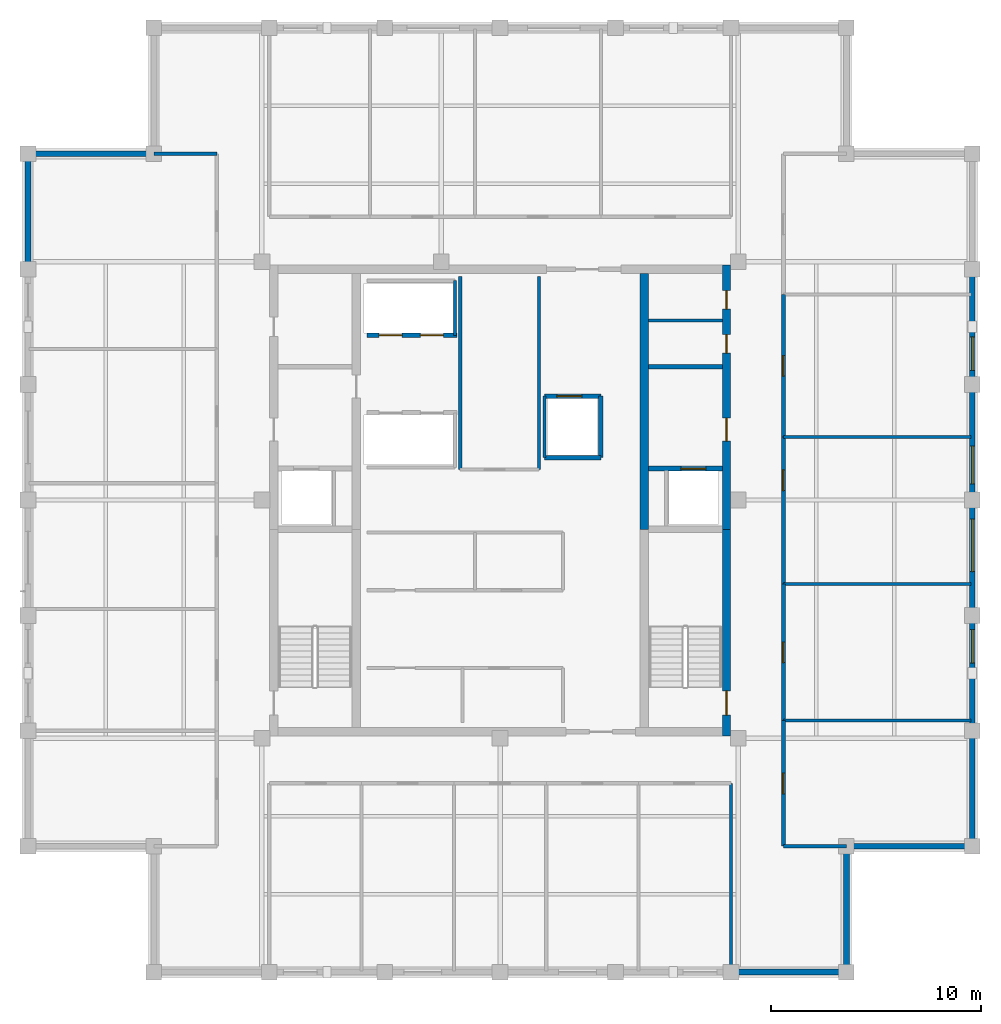
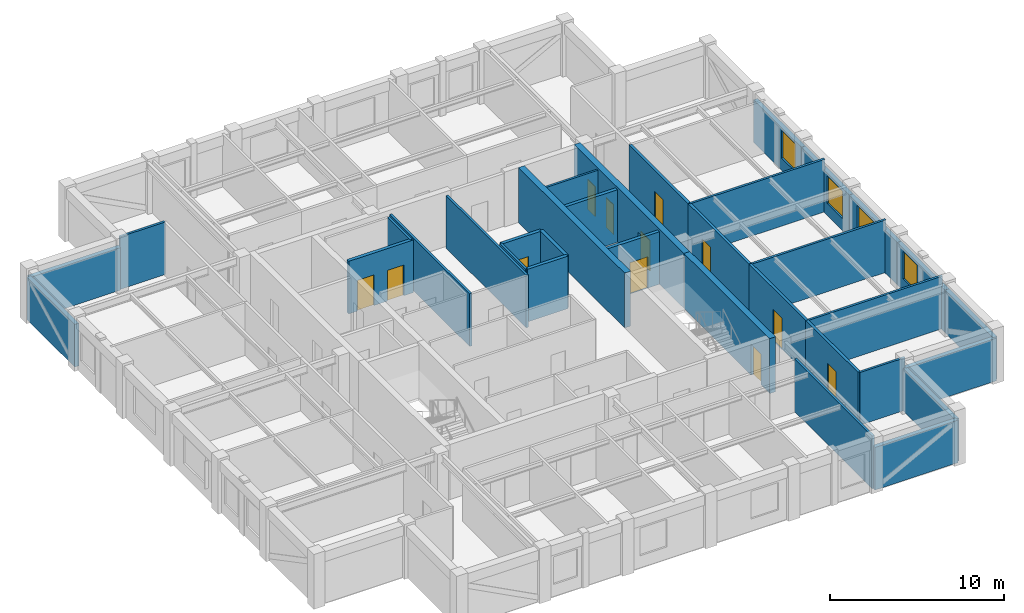
# One storey, part 5 of 7: 34 walls, 12 doors, 4 windows, 16 openings.
"""IFC4 building model written with IfcOpenShell, lengths in metres."""

from ifc_helpers import new_model, si_unit, direction, frame, frame_2d, origin, place, context, subcontext, project, spatial, rectangle, extrude, material, layer, layer_set, type_object, element, fill, save


model = new_model("IFC4")

# Units and contexts
model_context = context("Model", 3, precision=1e-05, world=origin(), true_north=direction((0.0, 1.0)))
body_context = subcontext(model_context, "Body", "Model", "MODEL_VIEW")
ifc_project = project(units=[si_unit("LENGTHUNIT", "METRE"), si_unit("AREAUNIT", "SQUARE_METRE"), si_unit("VOLUMEUNIT", "CUBIC_METRE"), si_unit("PLANEANGLEUNIT", "RADIAN"), si_unit("MASSUNIT", "GRAM", prefix="KILO")], contexts=[model_context])

# Site, building, storey
site_placement = place(None, origin())
site = spatial("IfcSite", under=ifc_project, at=site_placement, CompositionType="ELEMENT")
building_placement = place(site_placement, origin())
building = spatial("IfcBuilding", under=site, at=building_placement, Name="Nhamokura Convention Tower", CompositionType="ELEMENT")
storey_placement = place(building_placement, frame((0.0, 0.0, 285.25)))
storey = spatial("IfcBuildingStorey", under=building, at=storey_placement, Name="L70", CompositionType="ELEMENT", Elevation=285.25)

# Walls
ifc_material_1 = material(Name="Moisture-resistant tile-backer partition", Category="masonry")
ifc_layer_1 = layer(ifc_material_1, 0.139892578125)
ifc_layer_set_1 = layer_set([ifc_layer_1], Name="BathroomWetWall_140")
wall_type_1 = type_object("IfcWallType", Name="BathroomWetWall_140", PredefinedType="STANDARD", material=ifc_layer_set_1)
wall_1_placement = place(storey_placement, frame((39.06005859375, 40.550048828125, 0.0), z_axis=(0.0, 0.0, 1.0), x_axis=(1.0, 0.0, 0.0)))
element("IfcWall", 1, at=wall_1_placement, inside=storey, type_object=wall_type_1, Name="L70 Wall INT-L70-CWNE", PredefinedType="STANDARD", context=body_context, shape_type="SweptSolid", body=[
    extrude(rectangle(XDim=3.530029296875, YDim=0.139892578125, at=frame_2d((1.76513671875, 0.0))), origin(), (0.0, 0.0, 1.0), 3.68505859375),
])
ifc_material_2 = material(Name="Bronze-pigmented precast concrete C45/55", Category="concrete")
ifc_layer_2 = layer(ifc_material_2, 0.280029296875)
ifc_layer_set_2 = layer_set([ifc_layer_2], Name="BronzePrecastSpandrel_280")
wall_type_2 = type_object("IfcWallType", Name="BronzePrecastSpandrel_280", PredefinedType="USERDEFINED", material=ifc_layer_set_2)
for number, where, z_axis, x_axis, name in (
    (2, (48.5, 9.5, 0.0), (0.0, 0.0, 1.0), (-1.0, 0.0, 0.0), "L70 Braced-Bay Precast Wall SOUTH 5"),
    (3, (9.5, 43.0, 0.0), (0.0, 0.0, 1.0), (0.0, 1.0, 0.0), "L70 Braced-Bay Precast Wall WEST 5"),
    (4, (54.5, 21.0, 0.0), (0.0, 0.0, 1.0), (0.0, -1.0, 0.0), "L70 Braced-Bay Precast Wall EAST 0"),
):
    element("IfcWall", number, at=place(storey_placement, frame(where, z_axis=z_axis, x_axis=x_axis)), inside=storey, type_object=wall_type_2, Name=name, ObjectType="SPANDREL_WALL", PredefinedType="USERDEFINED", context=body_context, shape_type="SweptSolid", body=[
        extrude(rectangle(XDim=5.5, YDim=0.280029296875, at=frame_2d((2.75, 0.0))), origin(), (0.0, 0.0, 1.0), 2.985107421875),
    ])

# Wall, opening, window
wall_2_placement = place(storey_placement, frame((54.5, 26.5, 0.0), z_axis=(0.0, 0.0, 1.0), x_axis=(0.0, -1.0, 0.0)))
wall_2 = element("IfcWall", 5, at=wall_2_placement, inside=storey, type_object=wall_type_2, Name="L70 Masonry-Frame Wall EAST 1", ObjectType="SPANDREL_WALL", PredefinedType="USERDEFINED", context=body_context, shape_type="SweptSolid", body=[
    extrude(rectangle(XDim=5.5, YDim=0.280029296875, at=frame_2d((2.75, 0.0))), origin(), (0.0, 0.0, 1.0), 2.985107421875),
])
opening_1_placement = place(wall_2_placement, frame((0.675048828125, 0.0, 0.85009765625)))
opening_1 = element("IfcOpeningElement", 6, at=opening_1_placement, cuts=wall_2, Name="Opening W-11", PredefinedType="OPENING", context=body_context, shape_type="SweptSolid", body=[
    extrude(rectangle(XDim=1.60009765625, YDim=1.93505859375, at=frame_2d((0.800048828125, 0.967529296875))), frame((0.0, 0.14990234375, 0.0), z_axis=(0.0, -1.0, 0.0), x_axis=(1.0, 0.0, 0.0)), (0.0, 0.0, 1.0), 0.300048828125),
])
ifc_material_3 = material(Name="Solar-control bronze low-E double glass", Category="glass")
window_type_1 = type_object("IfcWindowType", Name="NotchCornerWindow_1600", PartitioningType="SINGLE_PANEL", PredefinedType="WINDOW", material=ifc_material_3)
window_1_placement = place(opening_1_placement, origin())
window_1 = element("IfcWindow", 7, at=window_1_placement, inside=storey, type_object=window_type_1, Name="L70 Facade Window EAST 1-1", OverallHeight=1.93505859375, OverallWidth=1.60009765625, PartitioningType="SINGLE_PANEL", PredefinedType="WINDOW", context=body_context, shape_type="SweptSolid", body=[
    extrude(rectangle(XDim=1.60009765625, YDim=1.93505859375, at=frame_2d((0.800048828125, 0.967529296875))), frame((0.0, 0.030029296875, 0.0), z_axis=(0.0, -1.0, 0.0), x_axis=(1.0, 0.0, 0.0)), (0.0, 0.0, 1.0), 0.06005859375),
])
fill(opening_1, window_1)

wall_3_placement = place(storey_placement, frame((54.5, 32.0, 0.0), z_axis=(0.0, 0.0, 1.0), x_axis=(0.0, -1.0, 0.0)))
wall_3 = element("IfcWall", 8, at=wall_3_placement, inside=storey, type_object=wall_type_2, Name="L70 Masonry-Frame Wall EAST 2", ObjectType="SPANDREL_WALL", PredefinedType="USERDEFINED", context=body_context, shape_type="SweptSolid", body=[
    extrude(rectangle(XDim=5.5, YDim=0.280029296875, at=frame_2d((2.75, 0.0))), origin(), (0.0, 0.0, 1.0), 2.985107421875),
])
opening_2_placement = place(wall_3_placement, frame((0.91259765625, 0.0, 0.85009765625)))
opening_2 = element("IfcOpeningElement", 9, at=opening_2_placement, cuts=wall_3, Name="Opening W-09", PredefinedType="OPENING", context=body_context, shape_type="SweptSolid", body=[
    extrude(rectangle(XDim=2.5, YDim=1.93505859375, at=frame_2d((1.25, 0.967529296875))), frame((0.0, 0.14990234375, 0.0), z_axis=(0.0, -1.0, 0.0), x_axis=(1.0, 0.0, 0.0)), (0.0, 0.0, 1.0), 0.300048828125),
])
ifc_material_4 = material(Name="Solar-control bronze low-E double glass", Category="glass")
window_type_2 = type_object("IfcWindowType", Name="SummitWindow_Z4_2500", PartitioningType="DOUBLE_PANEL_VERTICAL", PredefinedType="WINDOW", material=ifc_material_4)
window_2_placement = place(opening_2_placement, origin())
window_2 = element("IfcWindow", 10, at=window_2_placement, inside=storey, type_object=window_type_2, Name="L70 Facade Window EAST 2-1", OverallHeight=1.93505859375, OverallWidth=2.5, PartitioningType="SINGLE_PANEL", PredefinedType="WINDOW", context=body_context, shape_type="SweptSolid", body=[
    extrude(rectangle(XDim=2.5, YDim=1.93505859375, at=frame_2d((1.25, 0.967529296875))), frame((0.0, 0.030029296875, 0.0), z_axis=(0.0, -1.0, 0.0), x_axis=(1.0, 0.0, 0.0)), (0.0, 0.0, 1.0), 0.06005859375),
])
fill(opening_2, window_2)

wall_4_placement = place(storey_placement, frame((54.5, 37.5, 0.0), z_axis=(0.0, 0.0, 1.0), x_axis=(0.0, -1.0, 0.0)))
wall_4 = element("IfcWall", 11, at=wall_4_placement, inside=storey, type_object=wall_type_2, Name="L70 Masonry-Frame Wall EAST 3", ObjectType="SPANDREL_WALL", PredefinedType="USERDEFINED", context=body_context, shape_type="SweptSolid", body=[
    extrude(rectangle(XDim=5.5, YDim=0.280029296875, at=frame_2d((2.75, 0.0))), origin(), (0.0, 0.0, 1.0), 2.985107421875),
])
opening_3_placement = place(wall_4_placement, frame((2.9375, 0.0, 0.85009765625)))
opening_3 = element("IfcOpeningElement", 12, at=opening_3_placement, cuts=wall_4, Name="Opening W-10", PredefinedType="OPENING", context=body_context, shape_type="SweptSolid", body=[
    extrude(rectangle(XDim=1.800048828125, YDim=1.93505859375, at=frame_2d((0.89990234375, 0.967529296875))), frame((0.0, 0.14990234375, 0.0), z_axis=(0.0, -1.0, 0.0), x_axis=(1.0, 0.0, 0.0)), (0.0, 0.0, 1.0), 0.300048828125),
])
ifc_material_5 = material(Name="Solar-control bronze low-E double glass", Category="glass")
window_type_3 = type_object("IfcWindowType", Name="SummitWindow_Z4_1800", PartitioningType="SINGLE_PANEL", PredefinedType="WINDOW", material=ifc_material_5)
window_3_placement = place(opening_3_placement, origin())
window_3 = element("IfcWindow", 13, at=window_3_placement, inside=storey, type_object=window_type_3, Name="L70 Facade Window EAST 3-2", OverallHeight=1.93505859375, OverallWidth=1.800048828125, PartitioningType="SINGLE_PANEL", PredefinedType="WINDOW", context=body_context, shape_type="SweptSolid", body=[
    extrude(rectangle(XDim=1.800048828125, YDim=1.93505859375, at=frame_2d((0.89990234375, 0.967529296875))), frame((0.0, 0.030029296875, 0.0), z_axis=(0.0, -1.0, 0.0), x_axis=(1.0, 0.0, 0.0)), (0.0, 0.0, 1.0), 0.06005859375),
])
fill(opening_3, window_3)

wall_5_placement = place(storey_placement, frame((54.5, 43.0, 0.0), z_axis=(0.0, 0.0, 1.0), x_axis=(0.0, -1.0, 0.0)))
wall_5 = element("IfcWall", 14, at=wall_5_placement, inside=storey, type_object=wall_type_2, Name="L70 Masonry-Frame Wall EAST 4", ObjectType="SPANDREL_WALL", PredefinedType="USERDEFINED", context=body_context, shape_type="SweptSolid", body=[
    extrude(rectangle(XDim=5.5, YDim=0.280029296875, at=frame_2d((2.75, 0.0))), origin(), (0.0, 0.0, 1.0), 2.985107421875),
])
opening_4_placement = place(wall_5_placement, frame((3.22509765625, 0.0, 0.85009765625)))
opening_4 = element("IfcOpeningElement", 15, at=opening_4_placement, cuts=wall_5, Name="Opening W-11", PredefinedType="OPENING", context=body_context, shape_type="SweptSolid", body=[
    extrude(rectangle(XDim=1.60009765625, YDim=1.93505859375, at=frame_2d((0.800048828125, 0.967529296875))), frame((0.0, 0.14990234375, 0.0), z_axis=(0.0, -1.0, 0.0), x_axis=(1.0, 0.0, 0.0)), (0.0, 0.0, 1.0), 0.300048828125),
])
window_4_placement = place(opening_4_placement, origin())
window_4 = element("IfcWindow", 16, at=window_4_placement, inside=storey, type_object=window_type_1, Name="L70 Facade Window EAST 4-3", OverallHeight=1.93505859375, OverallWidth=1.60009765625, PartitioningType="SINGLE_PANEL", PredefinedType="WINDOW", context=body_context, shape_type="SweptSolid", body=[
    extrude(rectangle(XDim=1.60009765625, YDim=1.93505859375, at=frame_2d((0.800048828125, 0.967529296875))), frame((0.0, 0.030029296875, 0.0), z_axis=(0.0, -1.0, 0.0), x_axis=(1.0, 0.0, 0.0)), (0.0, 0.0, 1.0), 0.06005859375),
])
fill(opening_4, window_4)

# Walls
for number, where, z_axis, x_axis, name in (
    (17, (48.5, 15.5, 0.0), (0.0, 0.0, 1.0), (0.0, -1.0, 0.0), "L70 Notched Corner Wall SE1"),
    (18, (54.5, 15.5, 0.0), (0.0, 0.0, 1.0), (-1.0, 0.0, 0.0), "L70 Notched Corner Wall SE2"),
    (19, (9.5, 48.5, 0.0), (0.0, 0.0, 1.0), (1.0, 0.0, 0.0), "L70 Notched Corner Wall NW2"),
):
    element("IfcWall", number, at=place(storey_placement, frame(where, z_axis=z_axis, x_axis=x_axis)), inside=storey, type_object=wall_type_2, Name=name, ObjectType="SPANDREL_WALL", PredefinedType="USERDEFINED", context=body_context, shape_type="SweptSolid", body=[
        extrude(rectangle(XDim=6.0, YDim=0.280029296875, at=frame_2d((3.0, 0.0))), origin(), (0.0, 0.0, 1.0), 2.985107421875),
    ])

# Wall, opening, door
ifc_material_6 = material(Name="Concrete C50/60", Category="concrete")
ifc_layer_3 = layer(ifc_material_6, 0.39990234375)
ifc_layer_set_3 = layer_set([ifc_layer_3], Name="CoreShearWall_400")
wall_type_3 = type_object("IfcWallType", Name="CoreShearWall_400", PredefinedType="SHEAR", material=ifc_layer_set_3)
wall_6_placement = place(storey_placement, frame((42.7900390625, 20.75, 0.0), z_axis=(0.0, 0.0, 1.0), x_axis=(0.0, 1.0, 0.0)))
wall_6 = element("IfcWall", 20, at=wall_6_placement, inside=storey, type_object=wall_type_3, Name="L70 Core Shear Wall CW-ES", PredefinedType="SHEAR", context=body_context, shape_type="SweptSolid", body=[
    extrude(rectangle(XDim=9.85009765625, YDim=0.39990234375, at=frame_2d((4.925048828125, 0.0))), origin(), (0.0, 0.0, 1.0), 3.85009765625),
])
opening_5_placement = place(wall_6_placement, frame((1.0, 0.0, 0.0)))
opening_5 = element("IfcOpeningElement", 21, at=opening_5_placement, cuts=wall_6, Name="Opening D-04", PredefinedType="OPENING", context=body_context, shape_type="SweptSolid", body=[
    extrude(rectangle(XDim=1.14990234375, YDim=2.14990234375, at=frame_2d((0.574951171875, 1.074951171875))), frame((0.0, 0.2099609375, 0.0), z_axis=(0.0, -1.0, 0.0), x_axis=(1.0, 0.0, 0.0)), (0.0, 0.0, 1.0), 0.419921875),
])
ifc_material_7 = material(Name="Fire-rated steel door", Category="steel")
door_type_1 = type_object("IfcDoorType", Name="StairSmokeDoor_1150", OperationType="NOTDEFINED", PredefinedType="DOOR", material=ifc_material_7)
door_1_placement = place(opening_5_placement, origin())
door_1 = element("IfcDoor", 22, at=door_1_placement, inside=storey, type_object=door_type_1, Name="L70 Core Door INT-L70-D-ST02", OperationType="SINGLE_SWING_RIGHT", OverallHeight=2.14990234375, OverallWidth=1.14990234375, PredefinedType="DOOR", context=body_context, shape_type="SweptSolid", body=[
    extrude(rectangle(XDim=1.14990234375, YDim=2.14990234375, at=frame_2d((0.574951171875, 1.074951171875))), frame((0.0, 0.02490234375, 0.0), z_axis=(0.0, -1.0, 0.0), x_axis=(1.0, 0.0, 0.0)), (0.0, 0.0, 1.0), 0.050048828125),
])
fill(opening_5, door_1)

# Wall, openings, doors
wall_7_placement = place(storey_placement, frame((42.7900390625, 30.60009765625, 0.0), z_axis=(0.0, 0.0, 1.0), x_axis=(0.0, 1.0, 0.0)))
wall_7 = element("IfcWall", 23, at=wall_7_placement, inside=storey, type_object=wall_type_3, Name="L70 Core Shear Wall CW-EN", PredefinedType="SHEAR", context=body_context, shape_type="SweptSolid", body=[
    extrude(rectangle(XDim=12.599853515625, YDim=0.39990234375, at=frame_2d((6.2998046875, 0.0))), origin(), (0.0, 0.0, 1.0), 3.85009765625),
])
opening_6_placement = place(wall_7_placement, frame((4.199951171875, 0.0, 0.0)))
opening_6 = element("IfcOpeningElement", 24, at=opening_6_placement, cuts=wall_7, Name="Opening D-05", PredefinedType="OPENING", context=body_context, shape_type="SweptSolid", body=[
    extrude(rectangle(XDim=1.10009765625, YDim=2.14990234375, at=frame_2d((0.550048828125, 1.074951171875))), frame((0.0, 0.2099609375, 0.0), z_axis=(0.0, -1.0, 0.0), x_axis=(1.0, 0.0, 0.0)), (0.0, 0.0, 1.0), 0.419921875),
])
opening_7_placement = place(wall_7_placement, frame((8.39990234375, 0.0, 0.0)))
opening_7 = element("IfcOpeningElement", 25, at=opening_7_placement, cuts=wall_7, Name="Opening D-11", PredefinedType="OPENING", context=body_context, shape_type="SweptSolid", body=[
    extrude(rectangle(XDim=0.8798828125, YDim=2.10009765625, at=frame_2d((0.43994140625, 1.050048828125))), frame((0.0, 0.2099609375, 0.0), z_axis=(0.0, -1.0, 0.0), x_axis=(1.0, 0.0, 0.0)), (0.0, 0.0, 1.0), 0.419921875),
])
opening_8_placement = place(wall_7_placement, frame((10.5, 0.0, 0.0)))
opening_8 = element("IfcOpeningElement", 26, at=opening_8_placement, cuts=wall_7, Name="Opening D-11", PredefinedType="OPENING", context=body_context, shape_type="SweptSolid", body=[
    extrude(rectangle(XDim=0.8798828125, YDim=2.10009765625, at=frame_2d((0.43994140625, 1.050048828125))), frame((0.0, 0.2099609375, 0.0), z_axis=(0.0, -1.0, 0.0), x_axis=(1.0, 0.0, 0.0)), (0.0, 0.0, 1.0), 0.419921875),
])
ifc_material_8 = material(Name="Solid oak hardwood", Category="wood")
door_type_2 = type_object("IfcDoorType", Name="BathroomDoor_880", OperationType="NOTDEFINED", PredefinedType="DOOR", material=ifc_material_8)
door_2_placement = place(opening_7_placement, origin())
door_2 = element("IfcDoor", 27, at=door_2_placement, inside=storey, type_object=door_type_2, Name="L70 Core Door INT-L70-D-MWC", OperationType="SINGLE_SWING_RIGHT", OverallHeight=2.10009765625, OverallWidth=0.8798828125, PredefinedType="DOOR", context=body_context, shape_type="SweptSolid", body=[
    extrude(rectangle(XDim=0.8798828125, YDim=2.10009765625, at=frame_2d((0.43994140625, 1.050048828125))), frame((0.0, 0.02490234375, 0.0), z_axis=(0.0, -1.0, 0.0), x_axis=(1.0, 0.0, 0.0)), (0.0, 0.0, 1.0), 0.050048828125),
])
fill(opening_7, door_2)
door_3_placement = place(opening_8_placement, origin())
door_3 = element("IfcDoor", 28, at=door_3_placement, inside=storey, type_object=door_type_2, Name="L70 Core Door INT-L70-D-FWC", OperationType="SINGLE_SWING_LEFT", OverallHeight=2.10009765625, OverallWidth=0.8798828125, PredefinedType="DOOR", context=body_context, shape_type="SweptSolid", body=[
    extrude(rectangle(XDim=0.8798828125, YDim=2.10009765625, at=frame_2d((0.43994140625, 1.050048828125))), frame((0.0, 0.02490234375, 0.0), z_axis=(0.0, -1.0, 0.0), x_axis=(1.0, 0.0, 0.0)), (0.0, 0.0, 1.0), 0.050048828125),
])
fill(opening_8, door_3)
ifc_material_9 = material(Name="Fire-rated steel door", Category="steel")
door_type_3 = type_object("IfcDoorType", Name="FireLobbyDoor_1100", OperationType="NOTDEFINED", PredefinedType="DOOR", material=ifc_material_9)
door_4_placement = place(opening_6_placement, origin())
door_4 = element("IfcDoor", 29, at=door_4_placement, inside=storey, type_object=door_type_3, Name="L70 Core Door INT-L70-D-FFLE", OperationType="SINGLE_SWING_LEFT", OverallHeight=2.14990234375, OverallWidth=1.10009765625, PredefinedType="DOOR", context=body_context, shape_type="SweptSolid", body=[
    extrude(rectangle(XDim=1.10009765625, YDim=2.14990234375, at=frame_2d((0.550048828125, 1.074951171875))), frame((0.0, 0.02490234375, 0.0), z_axis=(0.0, -1.0, 0.0), x_axis=(1.0, 0.0, 0.0)), (0.0, 0.0, 1.0), 0.050048828125),
])
fill(opening_6, door_4)

# Wall
wall_8_placement = place(storey_placement, frame((38.860107421875, 30.60009765625, 0.0), z_axis=(0.0, 0.0, 1.0), x_axis=(0.0, 1.0, 0.0)))
element("IfcWall", 30, at=wall_8_placement, inside=storey, type_object=wall_type_3, Name="L70 Core Shear Wall CW-IEN", PredefinedType="SHEAR", context=body_context, shape_type="SweptSolid", body=[
    extrude(rectangle(XDim=12.199951171875, YDim=0.39990234375, at=frame_2d((6.10009765625, 0.0))), origin(), (0.0, 0.0, 1.0), 3.85009765625),
])

# Wall, opening, door
ifc_material_10 = material(Name="Fire-rated gypsum and masonry partition", Category="masonry")
ifc_layer_4 = layer(ifc_material_10, 0.179931640625)
ifc_layer_set_4 = layer_set([ifc_layer_4], Name="CorridorRatedWall_180")
wall_type_4 = type_object("IfcWallType", Name="CorridorRatedWall_180", PredefinedType="STANDARD", material=ifc_layer_set_4)
wall_9_placement = place(storey_placement, frame((45.5, 15.5, 0.0), z_axis=(0.0, 0.0, 1.0), x_axis=(0.0, 1.0, 0.0)))
wall_9 = element("IfcWall", 31, at=wall_9_placement, inside=storey, type_object=wall_type_4, Name="L70 Wall INT-L70-CW-E00", PredefinedType="STANDARD", context=body_context, shape_type="SweptSolid", body=[
    extrude(rectangle(XDim=6.0, YDim=0.179931640625, at=frame_2d((3.0, 0.0))), origin(), (0.0, 0.0, 1.0), 3.68505859375),
])
opening_9_placement = place(wall_9_placement, frame((2.5, 0.0, 0.0)))
opening_9 = element("IfcOpeningElement", 32, at=opening_9_placement, cuts=wall_9, Name="Opening D-08", PredefinedType="OPENING", context=body_context, shape_type="SweptSolid", body=[
    extrude(rectangle(XDim=0.97998046875, YDim=2.199951171875, at=frame_2d((0.489990234375, 1.10009765625))), frame((0.0, 0.099853515625, 0.0), z_axis=(0.0, -1.0, 0.0), x_axis=(1.0, 0.0, 0.0)), (0.0, 0.0, 1.0), 0.199951171875),
])
ifc_material_11 = material(Name="Solid oak hardwood", Category="wood")
door_type_4 = type_object("IfcDoorType", Name="OfficeEntryDoor_980", OperationType="NOTDEFINED", PredefinedType="DOOR", material=ifc_material_11)
door_5_placement = place(opening_9_placement, origin())
door_5 = element("IfcDoor", 33, at=door_5_placement, inside=storey, type_object=door_type_4, Name="L70 Reading Lounge E01 Door", OperationType="SINGLE_SWING_LEFT", OverallHeight=2.199951171875, OverallWidth=0.97998046875, PredefinedType="DOOR", context=body_context, shape_type="SweptSolid", body=[
    extrude(rectangle(XDim=0.97998046875, YDim=2.199951171875, at=frame_2d((0.489990234375, 1.10009765625))), frame((0.0, 0.02490234375, 0.0), z_axis=(0.0, -1.0, 0.0), x_axis=(1.0, 0.0, 0.0)), (0.0, 0.0, 1.0), 0.050048828125),
])
fill(opening_9, door_5)

wall_10_placement = place(storey_placement, frame((45.5, 21.5, 0.0), z_axis=(0.0, 0.0, 1.0), x_axis=(0.0, 1.0, 0.0)))
wall_10 = element("IfcWall", 34, at=wall_10_placement, inside=storey, type_object=wall_type_4, Name="L70 Wall INT-L70-CW-E01", PredefinedType="STANDARD", context=body_context, shape_type="SweptSolid", body=[
    extrude(rectangle(XDim=6.5, YDim=0.179931640625, at=frame_2d((3.25, 0.0))), origin(), (0.0, 0.0, 1.0), 3.68505859375),
])
opening_10_placement = place(wall_10_placement, frame((2.75, 0.0, 0.0)))
opening_10 = element("IfcOpeningElement", 35, at=opening_10_placement, cuts=wall_10, Name="Opening D-08", PredefinedType="OPENING", context=body_context, shape_type="SweptSolid", body=[
    extrude(rectangle(XDim=0.97998046875, YDim=2.199951171875, at=frame_2d((0.489990234375, 1.10009765625))), frame((0.0, 0.099853515625, 0.0), z_axis=(0.0, -1.0, 0.0), x_axis=(1.0, 0.0, 0.0)), (0.0, 0.0, 1.0), 0.199951171875),
])
door_6_placement = place(opening_10_placement, origin())
door_6 = element("IfcDoor", 36, at=door_6_placement, inside=storey, type_object=door_type_4, Name="L70 Private Office E02 Door", OperationType="SINGLE_SWING_RIGHT", OverallHeight=2.199951171875, OverallWidth=0.97998046875, PredefinedType="DOOR", context=body_context, shape_type="SweptSolid", body=[
    extrude(rectangle(XDim=0.97998046875, YDim=2.199951171875, at=frame_2d((0.489990234375, 1.10009765625))), frame((0.0, 0.02490234375, 0.0), z_axis=(0.0, -1.0, 0.0), x_axis=(1.0, 0.0, 0.0)), (0.0, 0.0, 1.0), 0.050048828125),
])
fill(opening_10, door_6)

wall_11_placement = place(storey_placement, frame((45.5, 28.0, 0.0), z_axis=(0.0, 0.0, 1.0), x_axis=(0.0, 1.0, 0.0)))
wall_11 = element("IfcWall", 37, at=wall_11_placement, inside=storey, type_object=wall_type_4, Name="L70 Wall INT-L70-CW-E02", PredefinedType="STANDARD", context=body_context, shape_type="SweptSolid", body=[
    extrude(rectangle(XDim=7.0, YDim=0.179931640625, at=frame_2d((3.5, 0.0))), origin(), (0.0, 0.0, 1.0), 3.68505859375),
])
opening_11_placement = place(wall_11_placement, frame((4.449951171875, 0.0, 0.0)))
opening_11 = element("IfcOpeningElement", 38, at=opening_11_placement, cuts=wall_11, Name="Opening D-08", PredefinedType="OPENING", context=body_context, shape_type="SweptSolid", body=[
    extrude(rectangle(XDim=0.97998046875, YDim=2.199951171875, at=frame_2d((0.489990234375, 1.10009765625))), frame((0.0, 0.099853515625, 0.0), z_axis=(0.0, -1.0, 0.0), x_axis=(1.0, 0.0, 0.0)), (0.0, 0.0, 1.0), 0.199951171875),
])
door_7_placement = place(opening_11_placement, origin())
door_7 = element("IfcDoor", 39, at=door_7_placement, inside=storey, type_object=door_type_4, Name="L70 Reading Lounge E03 Door", OperationType="SINGLE_SWING_LEFT", OverallHeight=2.199951171875, OverallWidth=0.97998046875, PredefinedType="DOOR", context=body_context, shape_type="SweptSolid", body=[
    extrude(rectangle(XDim=0.97998046875, YDim=2.199951171875, at=frame_2d((0.489990234375, 1.10009765625))), frame((0.0, 0.02490234375, 0.0), z_axis=(0.0, -1.0, 0.0), x_axis=(1.0, 0.0, 0.0)), (0.0, 0.0, 1.0), 0.050048828125),
])
fill(opening_11, door_7)

wall_12_placement = place(storey_placement, frame((45.5, 35.0, 0.0), z_axis=(0.0, 0.0, 1.0), x_axis=(0.0, 1.0, 0.0)))
wall_12 = element("IfcWall", 40, at=wall_12_placement, inside=storey, type_object=wall_type_4, Name="L70 Wall INT-L70-CW-E03", PredefinedType="STANDARD", context=body_context, shape_type="SweptSolid", body=[
    extrude(rectangle(XDim=6.800048828125, YDim=0.179931640625, at=frame_2d((3.39990234375, 0.0))), origin(), (0.0, 0.0, 1.0), 3.68505859375),
])
opening_12_placement = place(wall_12_placement, frame((2.89990234375, 0.0, 0.0)))
opening_12 = element("IfcOpeningElement", 41, at=opening_12_placement, cuts=wall_12, Name="Opening D-08", PredefinedType="OPENING", context=body_context, shape_type="SweptSolid", body=[
    extrude(rectangle(XDim=0.97998046875, YDim=2.199951171875, at=frame_2d((0.489990234375, 1.10009765625))), frame((0.0, 0.099853515625, 0.0), z_axis=(0.0, -1.0, 0.0), x_axis=(1.0, 0.0, 0.0)), (0.0, 0.0, 1.0), 0.199951171875),
])
door_8_placement = place(opening_12_placement, origin())
door_8 = element("IfcDoor", 42, at=door_8_placement, inside=storey, type_object=door_type_4, Name="L70 Private Office E04 Door", OperationType="SINGLE_SWING_RIGHT", OverallHeight=2.199951171875, OverallWidth=0.97998046875, PredefinedType="DOOR", context=body_context, shape_type="SweptSolid", body=[
    extrude(rectangle(XDim=0.97998046875, YDim=2.199951171875, at=frame_2d((0.489990234375, 1.10009765625))), frame((0.0, 0.02490234375, 0.0), z_axis=(0.0, -1.0, 0.0), x_axis=(1.0, 0.0, 0.0)), (0.0, 0.0, 1.0), 0.050048828125),
])
fill(opening_12, door_8)

ifc_material_12 = material(Name="Autoclaved concrete blockwork", Category="masonry")
ifc_layer_5 = layer(ifc_material_12, 0.219970703125)
ifc_layer_set_5 = layer_set([ifc_layer_5], Name="FireLobbyWall_220")
wall_type_5 = type_object("IfcWallType", Name="FireLobbyWall_220", PredefinedType="STANDARD", material=ifc_layer_set_5)
wall_13_placement = place(storey_placement, frame((39.06005859375, 33.5, 0.0), z_axis=(0.0, 0.0, 1.0), x_axis=(1.0, 0.0, 0.0)))
wall_13 = element("IfcWall", 43, at=wall_13_placement, inside=storey, type_object=wall_type_5, Name="L70 Wall INT-L70-FFE-S", PredefinedType="STANDARD", context=body_context, shape_type="SweptSolid", body=[
    extrude(rectangle(XDim=3.530029296875, YDim=0.219970703125, at=frame_2d((1.76513671875, 0.0))), origin(), (0.0, 0.0, 1.0), 3.68505859375),
])
opening_13_placement = place(wall_13_placement, frame((1.550048828125, 0.0, 0.0)))
opening_13 = element("IfcOpeningElement", 44, at=opening_13_placement, cuts=wall_13, Name="Opening LD-02", PredefinedType="OPENING", context=body_context, shape_type="SweptSolid", body=[
    extrude(rectangle(XDim=1.199951171875, YDim=2.199951171875, at=frame_2d((0.60009765625, 1.10009765625))), frame((0.0, 0.119873046875, 0.0), z_axis=(0.0, -1.0, 0.0), x_axis=(1.0, 0.0, 0.0)), (0.0, 0.0, 1.0), 0.239990234375),
])
ifc_material_13 = material(Name="Anodised bronze stainless steel", Category="steel")
door_type_5 = type_object("IfcDoorType", Name="LiftLandingDoor_FireService", OperationType="DOUBLE_DOOR_SLIDING", PredefinedType="DOOR", material=ifc_material_13)
door_9_placement = place(opening_13_placement, origin())
door_9 = element("IfcDoor", 45, at=door_9_placement, inside=storey, type_object=door_type_5, Name="L70 Firefighting Lift LF-02 Door", OperationType="DOUBLE_DOOR_SLIDING", OverallHeight=2.199951171875, OverallWidth=1.199951171875, PredefinedType="DOOR", context=body_context, shape_type="SweptSolid", body=[
    extrude(rectangle(XDim=1.199951171875, YDim=2.199951171875, at=frame_2d((0.60009765625, 1.10009765625))), frame((0.0, 0.02490234375, 0.0), z_axis=(0.0, -1.0, 0.0), x_axis=(1.0, 0.0, 0.0)), (0.0, 0.0, 1.0), 0.050048828125),
])
fill(opening_13, door_9)

# Wall
wall_14_placement = place(storey_placement, frame((39.06005859375, 38.35009765625, 0.0), z_axis=(0.0, 0.0, 1.0), x_axis=(1.0, 0.0, 0.0)))
element("IfcWall", 46, at=wall_14_placement, inside=storey, type_object=wall_type_5, Name="L70 Wall INT-L70-FFE-N", PredefinedType="STANDARD", context=body_context, shape_type="SweptSolid", body=[
    extrude(rectangle(XDim=3.530029296875, YDim=0.219970703125, at=frame_2d((1.76513671875, 0.0))), origin(), (0.0, 0.0, 1.0), 3.68505859375),
])

# Wall, openings, doors
wall_15_placement = place(storey_placement, frame((25.64990234375, 39.85009765625, 0.0), z_axis=(0.0, 0.0, 1.0), x_axis=(1.0, 0.0, 0.0)))
wall_15 = element("IfcWall", 47, at=wall_15_placement, inside=storey, type_object=wall_type_5, Name="L70 Wall INT-L70-B3N", PredefinedType="STANDARD", context=body_context, shape_type="SweptSolid", body=[
    extrude(rectangle(XDim=4.300048828125, YDim=0.219970703125, at=frame_2d((2.14990234375, 0.0))), origin(), (0.0, 0.0, 1.0), 3.68505859375),
])
opening_14_placement = place(wall_15_placement, frame((0.580078125, 0.0, 0.0)))
opening_14 = element("IfcOpeningElement", 48, at=opening_14_placement, cuts=wall_15, Name="Opening LD-01", PredefinedType="OPENING", context=body_context, shape_type="SweptSolid", body=[
    extrude(rectangle(XDim=1.10009765625, YDim=2.14990234375, at=frame_2d((0.550048828125, 1.074951171875))), frame((0.0, 0.119873046875, 0.0), z_axis=(0.0, -1.0, 0.0), x_axis=(1.0, 0.0, 0.0)), (0.0, 0.0, 1.0), 0.239990234375),
])
opening_15_placement = place(wall_15_placement, frame((2.550048828125, 0.0, 0.0)))
opening_15 = element("IfcOpeningElement", 49, at=opening_15_placement, cuts=wall_15, Name="Opening LD-01", PredefinedType="OPENING", context=body_context, shape_type="SweptSolid", body=[
    extrude(rectangle(XDim=1.10009765625, YDim=2.14990234375, at=frame_2d((0.550048828125, 1.074951171875))), frame((0.0, 0.119873046875, 0.0), z_axis=(0.0, -1.0, 0.0), x_axis=(1.0, 0.0, 0.0)), (0.0, 0.0, 1.0), 0.239990234375),
])
ifc_material_14 = material(Name="Anodised bronze stainless steel", Category="steel")
door_type_6 = type_object("IfcDoorType", Name="LiftLandingDoor_Passenger", OperationType="DOUBLE_DOOR_SLIDING", PredefinedType="DOOR", material=ifc_material_14)
door_10_placement = place(opening_14_placement, origin())
door_10 = element("IfcDoor", 50, at=door_10_placement, inside=storey, type_object=door_type_6, Name="L70 Lift LP-11 Door", OperationType="DOUBLE_DOOR_SLIDING", OverallHeight=2.14990234375, OverallWidth=1.10009765625, PredefinedType="DOOR", context=body_context, shape_type="SweptSolid", body=[
    extrude(rectangle(XDim=1.10009765625, YDim=2.14990234375, at=frame_2d((0.550048828125, 1.074951171875))), frame((0.0, 0.02490234375, 0.0), z_axis=(0.0, -1.0, 0.0), x_axis=(1.0, 0.0, 0.0)), (0.0, 0.0, 1.0), 0.050048828125),
])
fill(opening_14, door_10)
door_11_placement = place(opening_15_placement, origin())
door_11 = element("IfcDoor", 51, at=door_11_placement, inside=storey, type_object=door_type_6, Name="L70 Lift LP-12 Door", OperationType="DOUBLE_DOOR_SLIDING", OverallHeight=2.14990234375, OverallWidth=1.10009765625, PredefinedType="DOOR", context=body_context, shape_type="SweptSolid", body=[
    extrude(rectangle(XDim=1.10009765625, YDim=2.14990234375, at=frame_2d((0.550048828125, 1.074951171875))), frame((0.0, 0.02490234375, 0.0), z_axis=(0.0, -1.0, 0.0), x_axis=(1.0, 0.0, 0.0)), (0.0, 0.0, 1.0), 0.050048828125),
])
fill(opening_15, door_11)

# Wall, opening, door
wall_16_placement = place(storey_placement, frame((34.1201171875, 36.949951171875, 0.0), z_axis=(0.0, 0.0, 1.0), x_axis=(1.0, 0.0, 0.0)))
wall_16 = element("IfcWall", 52, at=wall_16_placement, inside=storey, type_object=wall_type_5, Name="L70 Wall INT-L70-LSN", PredefinedType="STANDARD", context=body_context, shape_type="SweptSolid", body=[
    extrude(rectangle(XDim=2.679931640625, YDim=0.219970703125, at=frame_2d((1.33984375, 0.0))), origin(), (0.0, 0.0, 1.0), 3.68505859375),
])
opening_16_placement = place(wall_16_placement, frame((0.580078125, 0.0, 0.0)))
opening_16 = element("IfcOpeningElement", 53, at=opening_16_placement, cuts=wall_16, Name="Opening LD-02", PredefinedType="OPENING", context=body_context, shape_type="SweptSolid", body=[
    extrude(rectangle(XDim=1.199951171875, YDim=2.199951171875, at=frame_2d((0.60009765625, 1.10009765625))), frame((0.0, 0.119873046875, 0.0), z_axis=(0.0, -1.0, 0.0), x_axis=(1.0, 0.0, 0.0)), (0.0, 0.0, 1.0), 0.239990234375),
])
door_12_placement = place(opening_16_placement, origin())
door_12 = element("IfcDoor", 54, at=door_12_placement, inside=storey, type_object=door_type_5, Name="L70 Service Lift LS-01 Door", OperationType="DOUBLE_DOOR_SLIDING", OverallHeight=2.199951171875, OverallWidth=1.199951171875, PredefinedType="DOOR", context=body_context, shape_type="SweptSolid", body=[
    extrude(rectangle(XDim=1.199951171875, YDim=2.199951171875, at=frame_2d((0.60009765625, 1.10009765625))), frame((0.0, 0.02490234375, 0.0), z_axis=(0.0, -1.0, 0.0), x_axis=(1.0, 0.0, 0.0)), (0.0, 0.0, 1.0), 0.050048828125),
])
fill(opening_16, door_12)

# Walls
wall_17_placement = place(storey_placement, frame((36.800048828125, 34.02001953125, 0.0), z_axis=(0.0, 0.0, 1.0), x_axis=(0.0, 1.0, 0.0)))
element("IfcWall", 55, at=wall_17_placement, inside=storey, type_object=wall_type_5, Name="L70 Wall INT-L70-LSE", PredefinedType="STANDARD", context=body_context, shape_type="SweptSolid", body=[
    extrude(rectangle(XDim=2.929931640625, YDim=0.219970703125, at=frame_2d((1.46484375, 0.0))), origin(), (0.0, 0.0, 1.0), 3.68505859375),
])
wall_18_placement = place(storey_placement, frame((34.1201171875, 34.02001953125, 0.0), z_axis=(0.0, 0.0, 1.0), x_axis=(1.0, 0.0, 0.0)))
element("IfcWall", 56, at=wall_18_placement, inside=storey, type_object=wall_type_5, Name="L70 Wall INT-L70-LSS", PredefinedType="STANDARD", context=body_context, shape_type="SweptSolid", body=[
    extrude(rectangle(XDim=2.679931640625, YDim=0.219970703125, at=frame_2d((1.33984375, 0.0))), origin(), (0.0, 0.0, 1.0), 3.68505859375),
])
ifc_material_15 = material(Name="Acoustic gypsum stud partition", Category="masonry")
ifc_layer_6 = layer(ifc_material_15, 0.14990234375)
ifc_layer_set_6 = layer_set([ifc_layer_6], Name="InteriorPartition_150")
wall_type_6 = type_object("IfcWallType", Name="InteriorPartition_150", PredefinedType="STANDARD", material=ifc_layer_set_6)
wall_19_placement = place(storey_placement, frame((29.85009765625, 39.85009765625, 0.0), z_axis=(0.0, 0.0, 1.0), x_axis=(0.0, 1.0, 0.0)))
element("IfcWall", 57, at=wall_19_placement, inside=storey, type_object=wall_type_6, Name="L70 Wall INT-L70-B3B-E", PredefinedType="STANDARD", context=body_context, shape_type="SweptSolid", body=[
    extrude(rectangle(XDim=2.599853515625, YDim=0.14990234375, at=frame_2d((1.2998046875, 0.0))), origin(), (0.0, 0.0, 1.0), 3.68505859375),
])
for number, where, z_axis, x_axis, name in (
    (58, (30.10009765625, 33.449951171875, 0.0), (0.0, 0.0, 1.0), (0.0, 1.0, 0.0), "L70 Wall INT-L70-ST03W"),
    (59, (33.85009765625, 33.449951171875, 0.0), (0.0, 0.0, 1.0), (0.0, 1.0, 0.0), "L70 Wall INT-L70-ST03E"),
):
    element("IfcWall", number, at=place(storey_placement, frame(where, z_axis=z_axis, x_axis=x_axis)), inside=storey, type_object=wall_type_6, Name=name, PredefinedType="STANDARD", context=body_context, shape_type="SweptSolid", body=[
        extrude(rectangle(XDim=9.199951171875, YDim=0.14990234375, at=frame_2d((4.60009765625, 0.0))), origin(), (0.0, 0.0, 1.0), 3.68505859375),
    ])
wall_20_placement = place(storey_placement, frame((34.1201171875, 34.02001953125, 0.0), z_axis=(0.0, 0.0, 1.0), x_axis=(0.0, 1.0, 0.0)))
element("IfcWall", 60, at=wall_20_placement, inside=storey, type_object=wall_type_6, Name="L70 Wall INT-L70-LSW", PredefinedType="STANDARD", context=body_context, shape_type="SweptSolid", body=[
    extrude(rectangle(XDim=2.929931640625, YDim=0.14990234375, at=frame_2d((1.46484375, 0.0))), origin(), (0.0, 0.0, 1.0), 3.68505859375),
])
for number, where, z_axis, x_axis, name in (
    (61, (43.0, 9.56005859375, 0.0), (0.0, 0.0, 1.0), (0.0, 1.0, 0.0), "L70 Wall INT-L70-RWR-S"),
    (62, (45.5, 21.5, 0.0), (0.0, 0.0, 1.0), (1.0, 0.0, 0.0), "L70 Wall INT-L70-RW-E01"),
    (63, (45.5, 28.0, 0.0), (0.0, 0.0, 1.0), (1.0, 0.0, 0.0), "L70 Wall INT-L70-RW-E02"),
    (64, (45.5, 35.0, 0.0), (0.0, 0.0, 1.0), (1.0, 0.0, 0.0), "L70 Wall INT-L70-RW-E03"),
):
    element("IfcWall", number, at=place(storey_placement, frame(where, z_axis=z_axis, x_axis=x_axis)), inside=storey, type_object=wall_type_6, Name=name, PredefinedType="STANDARD", context=body_context, shape_type="SweptSolid", body=[
        extrude(rectangle(XDim=8.93994140625, YDim=0.14990234375, at=frame_2d((4.469970703125, 0.0))), origin(), (0.0, 0.0, 1.0), 3.68505859375),
    ])
for number, where, z_axis, x_axis, name in (
    (65, (15.5, 48.5, 0.0), (0.0, 0.0, 1.0), (1.0, 0.0, 0.0), "L70 Wall INT-L70-VSTP-WN"),
    (66, (45.5, 15.5, 0.0), (0.0, 0.0, 1.0), (1.0, 0.0, 0.0), "L70 Wall INT-L70-VSTP-ES"),
):
    element("IfcWall", number, at=place(storey_placement, frame(where, z_axis=z_axis, x_axis=x_axis)), inside=storey, type_object=wall_type_6, Name=name, PredefinedType="STANDARD", context=body_context, shape_type="SweptSolid", body=[
        extrude(rectangle(XDim=3.0, YDim=0.14990234375, at=frame_2d((1.5, 0.0))), origin(), (0.0, 0.0, 1.0), 3.68505859375),
    ])

save(model, "model.ifc")
